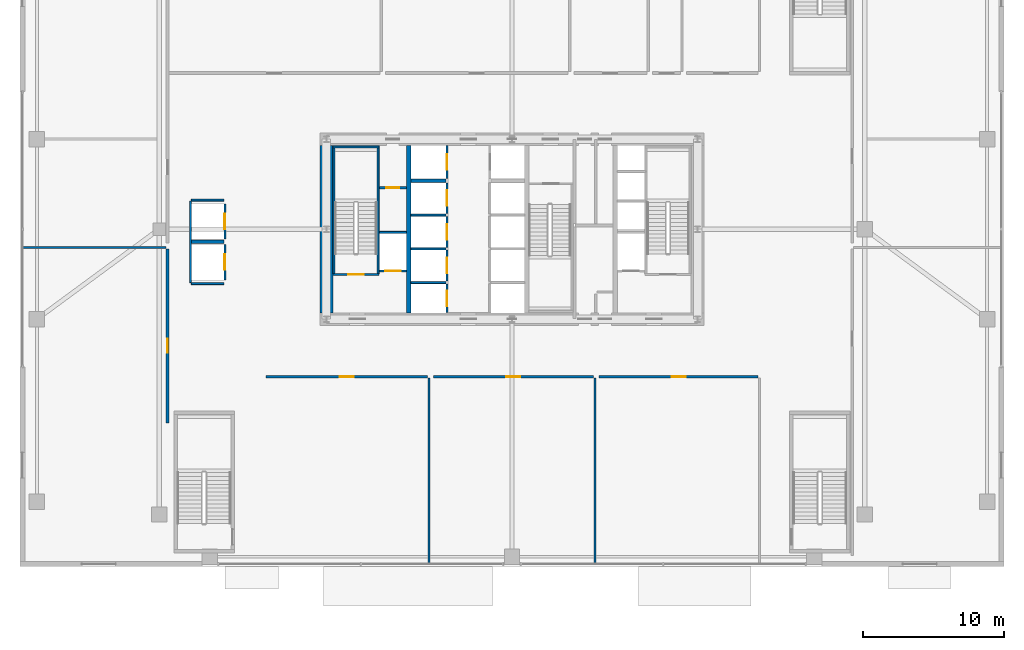
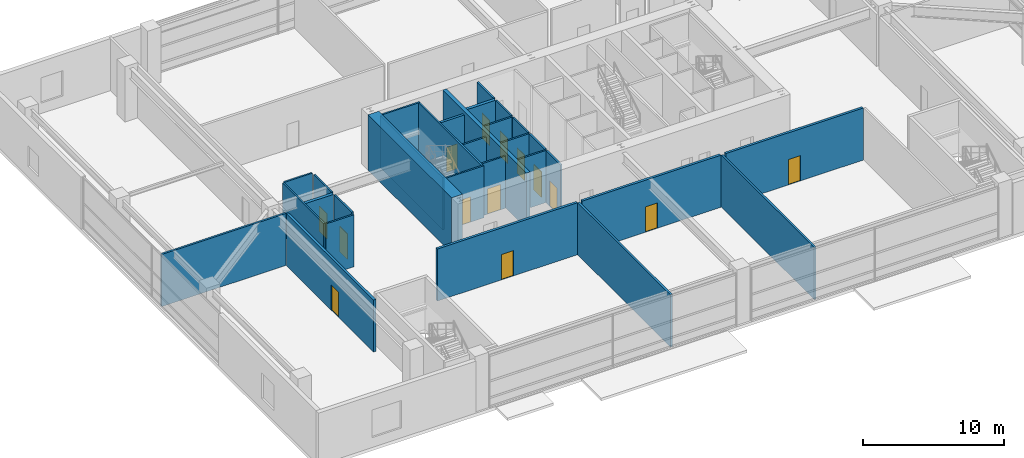
# One storey, part 31 of 37: 31 walls, 14 doors, 14 openings.
"""IFC4 building model written with IfcOpenShell, lengths in metres."""

from ifc_helpers import new_model, si_unit, direction, frame, frame_2d, origin, place, context, subcontext, project, spatial, rectangle, extrude, source, transform, mapped, material, layer, layer_set, type_object, element, fill, save


model = new_model("IFC4")

# Units and contexts
model_context = context("Model", 3, precision=1e-05, world=origin(), true_north=direction((0.0, 1.0)))
body_context = subcontext(model_context, "Body", "Model", "MODEL_VIEW")
ifc_project = project(units=[si_unit("LENGTHUNIT", "METRE"), si_unit("AREAUNIT", "SQUARE_METRE"), si_unit("VOLUMEUNIT", "CUBIC_METRE"), si_unit("PLANEANGLEUNIT", "RADIAN"), si_unit("MASSUNIT", "GRAM", prefix="KILO"), si_unit("THERMODYNAMICTEMPERATUREUNIT", "KELVIN"), si_unit("POWERUNIT", "WATT")], contexts=[model_context])

# Site, building, storey
site_placement = place(None, origin())
site = spatial("IfcSite", under=ifc_project, at=site_placement, CompositionType="ELEMENT")
building_placement = place(site_placement, origin())
building = spatial("IfcBuilding", under=site, at=building_placement, Name="Yuzanri Waterfront Tower", CompositionType="ELEMENT")
storey_placement = place(building_placement, frame((0.0, 0.0, 5.39990234375)))
storey = spatial("IfcBuildingStorey", under=building, at=storey_placement, Name="L02", CompositionType="ELEMENT", Elevation=5.39990234375)

# Wall, opening, door
ifc_material_1 = material(Name="Concrete C40", Category="concrete")
ifc_layer_1 = layer(ifc_material_1, 0.139892578125)
ifc_layer_set_1 = layer_set([ifc_layer_1], Name="Concrete C40")
wall_type_1 = type_object("IfcWallType", Name="Core Stair Liner and Hoistway Shaft Wall 140", PredefinedType="SOLIDWALL", material=ifc_layer_set_1)
wall_1_placement = place(storey_placement, frame((27.56005859375, 22.830078125, 0.0), z_axis=(0.0, 0.0, 1.0), x_axis=(1.0, 0.0, 0.0)))
wall_1 = element("IfcWall", 1, at=wall_1_placement, inside=storey, type_object=wall_type_1, Name="L02 Lift FL-01 Front Shaft Wall", PredefinedType="SOLIDWALL", context=body_context, shape_type="SweptSolid", body=[
    extrude(rectangle(XDim=1.919921875, YDim=0.139892578125, at=frame_2d((0.9599609375, 0.0))), origin(), (0.0, 0.0, 1.0), 4.52001953125),
])
opening_1_placement = place(wall_1_placement, frame((0.409912109375, 0.0, 0.0)))
opening_1 = element("IfcOpeningElement", 2, at=opening_1_placement, cuts=wall_1, Name="Opening LD-FL-01", PredefinedType="OPENING", context=body_context, shape_type="SweptSolid", body=[
    extrude(rectangle(XDim=1.10009765625, YDim=2.199951171875, at=frame_2d((0.550048828125, 1.10009765625))), frame((0.0, 0.0849609375, 0.0), z_axis=(0.0, -1.0, 0.0), x_axis=(1.0, 0.0, 0.0)), (0.0, 0.0, 1.0), 0.169677734375),
])
ifc_material_2 = material(Name="Brushed Bronze and Stainless Steel Cab", Category="steel")
door_type_1 = type_object("IfcDoorType", Name="Center-Parting Bronze Lift Landing Sliding Door 1100x2200", OperationType="NOTDEFINED", PredefinedType="DOOR", material=ifc_material_2)
shared_shape_1 = source(origin(), body_context, "Body", "SweptSolid", [
    extrude(rectangle(XDim=1.10009765625, YDim=2.199951171875, at=frame_2d((0.550048828125, 1.10009765625))), frame((0.0, 0.02490234375, 0.0), z_axis=(0.0, -1.0, 0.0), x_axis=(1.0, 0.0, 0.0)), (0.0, 0.0, 1.0), 0.050048828125),
])
door_1_placement = place(opening_1_placement, origin())
door_1 = element("IfcDoor", 3, at=door_1_placement, inside=storey, type_object=door_type_1, Name="L02 FL-01 Lift Landing Sliding Door", OperationType="SLIDING_TO_LEFT", OverallHeight=2.199951171875, OverallWidth=1.10009765625, PredefinedType="DOOR", context=body_context, shape_type="MappedRepresentation", body=[
    mapped(shared_shape_1, transform((0.0, 0.0, 0.0), scale=1.0)),
])
fill(opening_1, door_1)

wall_2_placement = place(storey_placement, frame((32.3701171875, 19.860107421875, 0.0), z_axis=(0.0, 0.0, 1.0), x_axis=(0.0, 1.0, 0.0)))
wall_2 = element("IfcWall", 4, at=wall_2_placement, inside=storey, type_object=wall_type_1, Name="L02 Lift PL-01 Front Shaft Wall", PredefinedType="SOLIDWALL", context=body_context, shape_type="SweptSolid", body=[
    extrude(rectangle(XDim=2.039794921875, YDim=0.139892578125, at=frame_2d((1.02001953125, 0.0))), origin(), (0.0, 0.0, 1.0), 4.52001953125),
])
opening_2_placement = place(wall_2_placement, frame((0.469970703125, 0.0, 0.0)))
opening_2 = element("IfcOpeningElement", 5, at=opening_2_placement, cuts=wall_2, Name="Opening LD-PL-01", PredefinedType="OPENING", context=body_context, shape_type="SweptSolid", body=[
    extrude(rectangle(XDim=1.10009765625, YDim=2.199951171875, at=frame_2d((0.550048828125, 1.10009765625))), frame((0.0, 0.0849609375, 0.0), z_axis=(0.0, -1.0, 0.0), x_axis=(1.0, 0.0, 0.0)), (0.0, 0.0, 1.0), 0.169677734375),
])
door_2_placement = place(opening_2_placement, origin())
door_2 = element("IfcDoor", 6, at=door_2_placement, inside=storey, type_object=door_type_1, Name="L02 PL-01 Lift Landing Sliding Door", OperationType="SLIDING_TO_LEFT", OverallHeight=2.199951171875, OverallWidth=1.10009765625, PredefinedType="DOOR", context=body_context, shape_type="MappedRepresentation", body=[
    mapped(shared_shape_1, transform((0.0, 0.0, 0.0), scale=1.0)),
])
fill(opening_2, door_2)

wall_3_placement = place(storey_placement, frame((32.3701171875, 22.10009765625, 0.0), z_axis=(0.0, 0.0, 1.0), x_axis=(0.0, 1.0, 0.0)))
wall_3 = element("IfcWall", 7, at=wall_3_placement, inside=storey, type_object=wall_type_1, Name="L02 Lift PL-02 Front Shaft Wall", PredefinedType="SOLIDWALL", context=body_context, shape_type="SweptSolid", body=[
    extrude(rectangle(XDim=2.199951171875, YDim=0.139892578125, at=frame_2d((1.10009765625, 0.0))), origin(), (0.0, 0.0, 1.0), 4.52001953125),
])
opening_3_placement = place(wall_3_placement, frame((0.550048828125, 0.0, 0.0)))
opening_3 = element("IfcOpeningElement", 8, at=opening_3_placement, cuts=wall_3, Name="Opening LD-PL-02", PredefinedType="OPENING", context=body_context, shape_type="SweptSolid", body=[
    extrude(rectangle(XDim=1.10009765625, YDim=2.199951171875, at=frame_2d((0.550048828125, 1.10009765625))), frame((0.0, 0.0849609375, 0.0), z_axis=(0.0, -1.0, 0.0), x_axis=(1.0, 0.0, 0.0)), (0.0, 0.0, 1.0), 0.169677734375),
])
door_3_placement = place(opening_3_placement, origin())
door_3 = element("IfcDoor", 9, at=door_3_placement, inside=storey, type_object=door_type_1, Name="L02 PL-02 Lift Landing Sliding Door", OperationType="SLIDING_TO_RIGHT", OverallHeight=2.199951171875, OverallWidth=1.10009765625, PredefinedType="DOOR", context=body_context, shape_type="MappedRepresentation", body=[
    mapped(shared_shape_1, transform((0.0, 0.0, 0.0), scale=1.0)),
])
fill(opening_3, door_3)

wall_4_placement = place(storey_placement, frame((32.3701171875, 24.5, 0.0), z_axis=(0.0, 0.0, 1.0), x_axis=(0.0, 1.0, 0.0)))
wall_4 = element("IfcWall", 10, at=wall_4_placement, inside=storey, type_object=wall_type_1, Name="L02 Lift PL-03 Front Shaft Wall", PredefinedType="SOLIDWALL", context=body_context, shape_type="SweptSolid", body=[
    extrude(rectangle(XDim=2.199951171875, YDim=0.139892578125, at=frame_2d((1.10009765625, 0.0))), origin(), (0.0, 0.0, 1.0), 4.52001953125),
])
opening_4_placement = place(wall_4_placement, frame((0.550048828125, 0.0, 0.0)))
opening_4 = element("IfcOpeningElement", 11, at=opening_4_placement, cuts=wall_4, Name="Opening LD-PL-03", PredefinedType="OPENING", context=body_context, shape_type="SweptSolid", body=[
    extrude(rectangle(XDim=1.10009765625, YDim=2.199951171875, at=frame_2d((0.550048828125, 1.10009765625))), frame((0.0, 0.0849609375, 0.0), z_axis=(0.0, -1.0, 0.0), x_axis=(1.0, 0.0, 0.0)), (0.0, 0.0, 1.0), 0.169677734375),
])
door_4_placement = place(opening_4_placement, origin())
door_4 = element("IfcDoor", 12, at=door_4_placement, inside=storey, type_object=door_type_1, Name="L02 PL-03 Lift Landing Sliding Door", OperationType="SLIDING_TO_LEFT", OverallHeight=2.199951171875, OverallWidth=1.10009765625, PredefinedType="DOOR", context=body_context, shape_type="MappedRepresentation", body=[
    mapped(shared_shape_1, transform((0.0, 0.0, 0.0), scale=1.0)),
])
fill(opening_4, door_4)

wall_5_placement = place(storey_placement, frame((32.3701171875, 26.89990234375, 0.0), z_axis=(0.0, 0.0, 1.0), x_axis=(0.0, 1.0, 0.0)))
wall_5 = element("IfcWall", 13, at=wall_5_placement, inside=storey, type_object=wall_type_1, Name="L02 Lift PL-04 Front Shaft Wall", PredefinedType="SOLIDWALL", context=body_context, shape_type="SweptSolid", body=[
    extrude(rectangle(XDim=2.2001953125, YDim=0.139892578125, at=frame_2d((1.10009765625, 0.0))), origin(), (0.0, 0.0, 1.0), 4.52001953125),
])
opening_5_placement = place(wall_5_placement, frame((0.550048828125, 0.0, 0.0)))
opening_5 = element("IfcOpeningElement", 14, at=opening_5_placement, cuts=wall_5, Name="Opening LD-PL-04", PredefinedType="OPENING", context=body_context, shape_type="SweptSolid", body=[
    extrude(rectangle(XDim=1.10009765625, YDim=2.199951171875, at=frame_2d((0.550048828125, 1.10009765625))), frame((0.0, 0.0849609375, 0.0), z_axis=(0.0, -1.0, 0.0), x_axis=(1.0, 0.0, 0.0)), (0.0, 0.0, 1.0), 0.169677734375),
])
door_5_placement = place(opening_5_placement, origin())
door_5 = element("IfcDoor", 15, at=door_5_placement, inside=storey, type_object=door_type_1, Name="L02 PL-04 Lift Landing Sliding Door", OperationType="SLIDING_TO_RIGHT", OverallHeight=2.199951171875, OverallWidth=1.10009765625, PredefinedType="DOOR", context=body_context, shape_type="MappedRepresentation", body=[
    mapped(shared_shape_1, transform((0.0, 0.0, 0.0), scale=1.0)),
])
fill(opening_5, door_5)

wall_6_placement = place(storey_placement, frame((32.3701171875, 29.39990234375, 0.0), z_axis=(0.0, 0.0, 1.0), x_axis=(0.0, 1.0, 0.0)))
wall_6 = element("IfcWall", 16, at=wall_6_placement, inside=storey, type_object=wall_type_1, Name="L02 Lift SL-01 Front Shaft Wall", PredefinedType="SOLIDWALL", context=body_context, shape_type="SweptSolid", body=[
    extrude(rectangle(XDim=2.340087890625, YDim=0.139892578125, at=frame_2d((1.169921875, 0.0))), origin(), (0.0, 0.0, 1.0), 4.52001953125),
])
opening_6_placement = place(wall_6_placement, frame((0.6201171875, 0.0, 0.0)))
opening_6 = element("IfcOpeningElement", 17, at=opening_6_placement, cuts=wall_6, Name="Opening LD-SL-01", PredefinedType="OPENING", context=body_context, shape_type="SweptSolid", body=[
    extrude(rectangle(XDim=1.10009765625, YDim=2.199951171875, at=frame_2d((0.550048828125, 1.10009765625))), frame((0.0, 0.0849609375, 0.0), z_axis=(0.0, -1.0, 0.0), x_axis=(1.0, 0.0, 0.0)), (0.0, 0.0, 1.0), 0.169677734375),
])
door_6_placement = place(opening_6_placement, origin())
door_6 = element("IfcDoor", 18, at=door_6_placement, inside=storey, type_object=door_type_1, Name="L02 SL-01 Lift Landing Sliding Door", OperationType="SLIDING_TO_LEFT", OverallHeight=2.199951171875, OverallWidth=1.10009765625, PredefinedType="DOOR", context=body_context, shape_type="MappedRepresentation", body=[
    mapped(shared_shape_1, transform((0.0, 0.0, 0.0), scale=1.0)),
])
fill(opening_6, door_6)

wall_7_placement = place(storey_placement, frame((16.570068359375, 22.199951171875, 0.0), z_axis=(0.0, 0.0, 1.0), x_axis=(0.0, 1.0, 0.0)))
wall_7 = element("IfcWall", 19, at=wall_7_placement, inside=storey, type_object=wall_type_1, Name="L02 Lift RL-01 Front Shaft Wall", PredefinedType="SOLIDWALL", context=body_context, shape_type="SweptSolid", body=[
    extrude(rectangle(XDim=2.5, YDim=0.139892578125, at=frame_2d((1.25, 0.0))), origin(), (0.0, 0.0, 1.0), 4.52001953125),
])
opening_7_placement = place(wall_7_placement, frame((0.699951171875, 0.0, 0.0)))
opening_7 = element("IfcOpeningElement", 20, at=opening_7_placement, cuts=wall_7, Name="Opening LD-RL-01", PredefinedType="OPENING", context=body_context, shape_type="SweptSolid", body=[
    extrude(rectangle(XDim=1.10009765625, YDim=2.199951171875, at=frame_2d((0.550048828125, 1.10009765625))), frame((0.0, 0.0849609375, 0.0), z_axis=(0.0, -1.0, 0.0), x_axis=(1.0, 0.0, 0.0)), (0.0, 0.0, 1.0), 0.169677734375),
])
door_7_placement = place(opening_7_placement, origin())
door_7 = element("IfcDoor", 21, at=door_7_placement, inside=storey, type_object=door_type_1, Name="L02 RL-01 Lift Landing Sliding Door", OperationType="SLIDING_TO_RIGHT", OverallHeight=2.199951171875, OverallWidth=1.10009765625, PredefinedType="DOOR", context=body_context, shape_type="MappedRepresentation", body=[
    mapped(shared_shape_1, transform((0.0, 0.0, 0.0), scale=1.0)),
])
fill(opening_7, door_7)

wall_8_placement = place(storey_placement, frame((16.570068359375, 25.10009765625, 0.0), z_axis=(0.0, 0.0, 1.0), x_axis=(0.0, 1.0, 0.0)))
wall_8 = element("IfcWall", 22, at=wall_8_placement, inside=storey, type_object=wall_type_1, Name="L02 Lift RL-02 Front Shaft Wall", PredefinedType="SOLIDWALL", context=body_context, shape_type="SweptSolid", body=[
    extrude(rectangle(XDim=2.5, YDim=0.139892578125, at=frame_2d((1.25, 0.0))), origin(), (0.0, 0.0, 1.0), 4.52001953125),
])
opening_8_placement = place(wall_8_placement, frame((0.699951171875, 0.0, 0.0)))
opening_8 = element("IfcOpeningElement", 23, at=opening_8_placement, cuts=wall_8, Name="Opening LD-RL-02", PredefinedType="OPENING", context=body_context, shape_type="SweptSolid", body=[
    extrude(rectangle(XDim=1.10009765625, YDim=2.199951171875, at=frame_2d((0.550048828125, 1.10009765625))), frame((0.0, 0.0849609375, 0.0), z_axis=(0.0, -1.0, 0.0), x_axis=(1.0, 0.0, 0.0)), (0.0, 0.0, 1.0), 0.169677734375),
])
door_8_placement = place(opening_8_placement, origin())
door_8 = element("IfcDoor", 24, at=door_8_placement, inside=storey, type_object=door_type_1, Name="L02 RL-02 Lift Landing Sliding Door", OperationType="SLIDING_TO_LEFT", OverallHeight=2.199951171875, OverallWidth=1.10009765625, PredefinedType="DOOR", context=body_context, shape_type="MappedRepresentation", body=[
    mapped(shared_shape_1, transform((0.0, 0.0, 0.0), scale=1.0)),
])
fill(opening_8, door_8)

wall_9_placement = place(storey_placement, frame((24.260009765625, 22.570068359375, 0.0), z_axis=(0.0, 0.0, 1.0), x_axis=(1.0, 0.0, 0.0)))
wall_9 = element("IfcWall", 25, at=wall_9_placement, inside=storey, type_object=wall_type_1, Name="L02 Shaft Wall STW-L02-ST-01-S", PredefinedType="SOLIDWALL", context=body_context, shape_type="SweptSolid", body=[
    extrude(rectangle(XDim=3.280029296875, YDim=0.139892578125, at=frame_2d((1.64013671875, 0.0))), origin(), (0.0, 0.0, 1.0), 4.52001953125),
])
opening_9_placement = place(wall_9_placement, frame((1.090087890625, 0.0, 0.0)))
opening_9 = element("IfcOpeningElement", 26, at=opening_9_placement, cuts=wall_9, Name="Opening FD-1100", PredefinedType="OPENING", context=body_context, shape_type="SweptSolid", body=[
    extrude(rectangle(XDim=1.10009765625, YDim=2.199951171875, at=frame_2d((0.550048828125, 1.10009765625))), frame((0.0, 0.0849609375, 0.0), z_axis=(0.0, -1.0, 0.0), x_axis=(1.0, 0.0, 0.0)), (0.0, 0.0, 1.0), 0.169677734375),
])
ifc_material_3 = material(Name="Painted Galvanized Fire Steel", Category="steel")
door_type_2 = type_object("IfcDoorType", Name="Smoke-Proof Stair and Lobby Fire Door 1100x2200", OperationType="NOTDEFINED", PredefinedType="DOOR", material=ifc_material_3)
shared_shape_2 = source(origin(), body_context, "Body", "SweptSolid", [
    extrude(rectangle(XDim=1.10009765625, YDim=2.199951171875, at=frame_2d((0.550048828125, 1.10009765625))), frame((0.0, 0.02490234375, 0.0), z_axis=(0.0, -1.0, 0.0), x_axis=(1.0, 0.0, 0.0)), (0.0, 0.0, 1.0), 0.050048828125),
])
door_9_placement = place(opening_9_placement, origin())
door_9 = element("IfcDoor", 27, at=door_9_placement, inside=storey, type_object=door_type_2, Name="L02 Stair ST-01 Fire Door", OperationType="SINGLE_SWING_LEFT", OverallHeight=2.199951171875, OverallWidth=1.10009765625, PredefinedType="DOOR", context=body_context, shape_type="MappedRepresentation", body=[
    mapped(shared_shape_2, transform((0.0, 0.0, 0.0), scale=1.0)),
])
fill(opening_9, door_9)

ifc_material_4 = material(Name="Autoclaved Aerated Concrete Blockwork", Category="masonry")
ifc_layer_2 = layer(ifc_material_4, 0.199951171875)
ifc_layer_set_2 = layer_set([ifc_layer_2], Name="Autoclaved Aerated Concrete Blockwork")
wall_type_2 = type_object("IfcWallType", Name="Corridor and Unit Party Fire Wall 200", PredefinedType="PARTITIONING", material=ifc_layer_set_2)
wall_10_placement = place(storey_placement, frame((27.56005859375, 28.75, 0.0), z_axis=(0.0, 0.0, 1.0), x_axis=(1.0, 0.0, 0.0)))
wall_10 = element("IfcWall", 28, at=wall_10_placement, inside=storey, type_object=wall_type_2, Name="L02 Partition CRW-L02-ERTR", PredefinedType="PARTITIONING", context=body_context, shape_type="SweptSolid", body=[
    extrude(rectangle(XDim=1.919921875, YDim=0.199951171875, at=frame_2d((0.9599609375, 0.0))), origin(), (0.0, 0.0, 1.0), 4.52001953125),
])
opening_10_placement = place(wall_10_placement, frame((0.510009765625, 0.0, 0.0)))
opening_10 = element("IfcOpeningElement", 29, at=opening_10_placement, cuts=wall_10, Name="Opening FD-0900", PredefinedType="OPENING", context=body_context, shape_type="SweptSolid", body=[
    extrude(rectangle(XDim=0.89990234375, YDim=2.14990234375, at=frame_2d((0.449951171875, 1.074951171875))), frame((0.0, 0.11474609375, 0.0), z_axis=(0.0, -1.0, 0.0), x_axis=(1.0, 0.0, 0.0)), (0.0, 0.0, 1.0), 0.229736328125),
])
ifc_material_5 = material(Name="Painted Galvanized Fire Steel", Category="steel")
door_type_3 = type_object("IfcDoorType", Name="Riser and Service Room Fire Door 900x2150", OperationType="NOTDEFINED", PredefinedType="DOOR", material=ifc_material_5)
shared_shape_3 = source(origin(), body_context, "Body", "SweptSolid", [
    extrude(rectangle(XDim=0.89990234375, YDim=2.14990234375, at=frame_2d((0.449951171875, 1.074951171875))), frame((0.0, 0.02490234375, 0.0), z_axis=(0.0, -1.0, 0.0), x_axis=(1.0, 0.0, 0.0)), (0.0, 0.0, 1.0), 0.050048828125),
])
door_10_placement = place(opening_10_placement, origin())
door_10 = element("IfcDoor", 30, at=door_10_placement, inside=storey, type_object=door_type_3, Name="L02 Electrical Riser Door", OperationType="SINGLE_SWING_LEFT", OverallHeight=2.14990234375, OverallWidth=0.89990234375, PredefinedType="DOOR", context=body_context, shape_type="MappedRepresentation", body=[
    mapped(shared_shape_3, transform((0.0, 0.0, 0.0), scale=1.0)),
])
fill(opening_10, door_10)

wall_11_placement = place(storey_placement, frame((12.5, 12.0, 0.0), z_axis=(0.0, 0.0, 1.0), x_axis=(0.0, 1.0, 0.0)))
wall_11 = element("IfcWall", 31, at=wall_11_placement, inside=storey, type_object=wall_type_2, Name="L02 Partition PRW-L02-027-E", PredefinedType="PARTITIONING", context=body_context, shape_type="SweptSolid", body=[
    extrude(rectangle(XDim=12.39990234375, YDim=0.199951171875, at=frame_2d((6.199951171875, 0.0))), origin(), (0.0, 0.0, 1.0), 4.52001953125),
])
opening_11_placement = place(wall_11_placement, frame((5.0, 0.0, 0.0)))
opening_11 = element("IfcOpeningElement", 32, at=opening_11_placement, cuts=wall_11, Name="Opening FD-1000", PredefinedType="OPENING", context=body_context, shape_type="SweptSolid", body=[
    extrude(rectangle(XDim=1.0, YDim=2.199951171875, at=frame_2d((0.5, 1.10009765625))), frame((0.0, 0.11474609375, 0.0), z_axis=(0.0, -1.0, 0.0), x_axis=(1.0, 0.0, 0.0)), (0.0, 0.0, 1.0), 0.229736328125),
])
ifc_material_6 = material(Name="Engineered Oak Fire-Rated Timber", Category="wood")
door_type_4 = type_object("IfcDoorType", Name="Guestroom and Apartment Entrance Fire Door 1000x2200", OperationType="NOTDEFINED", PredefinedType="DOOR", material=ifc_material_6)
shared_shape_4 = source(origin(), body_context, "Body", "SweptSolid", [
    extrude(rectangle(XDim=1.0, YDim=2.199951171875, at=frame_2d((0.5, 1.10009765625))), frame((0.0, 0.02490234375, 0.0), z_axis=(0.0, -1.0, 0.0), x_axis=(1.0, 0.0, 0.0)), (0.0, 0.0, 1.0), 0.050048828125),
])
door_11_placement = place(opening_11_placement, origin())
door_11 = element("IfcDoor", 33, at=door_11_placement, inside=storey, type_object=door_type_4, Name="L02 West Waterfront Anchor Store", OperationType="SINGLE_SWING_RIGHT", OverallHeight=2.199951171875, OverallWidth=1.0, PredefinedType="DOOR", context=body_context, shape_type="MappedRepresentation", body=[
    mapped(shared_shape_4, transform((0.0, 0.0, 0.0), scale=1.0)),
])
fill(opening_11, door_11)

wall_12_placement = place(storey_placement, frame((19.5, 15.300048828125, 0.0), z_axis=(0.0, 0.0, 1.0), x_axis=(1.0, 0.0, 0.0)))
wall_12 = element("IfcWall", 34, at=wall_12_placement, inside=storey, type_object=wall_type_2, Name="L02 Partition PRW-L02-029-N", PredefinedType="PARTITIONING", context=body_context, shape_type="SweptSolid", body=[
    extrude(rectangle(XDim=11.5, YDim=0.199951171875, at=frame_2d((5.75, 0.0))), origin(), (0.0, 0.0, 1.0), 4.52001953125),
])
opening_12_placement = place(wall_12_placement, frame((5.25, 0.0, 0.0)))
opening_12 = element("IfcOpeningElement", 35, at=opening_12_placement, cuts=wall_12, Name="Opening FD-1000", PredefinedType="OPENING", context=body_context, shape_type="SweptSolid", body=[
    extrude(rectangle(XDim=1.0, YDim=2.199951171875, at=frame_2d((0.5, 1.10009765625))), frame((0.0, 0.11474609375, 0.0), z_axis=(0.0, -1.0, 0.0), x_axis=(1.0, 0.0, 0.0)), (0.0, 0.0, 1.0), 0.229736328125),
])
door_12_placement = place(opening_12_placement, origin())
door_12 = element("IfcDoor", 36, at=door_12_placement, inside=storey, type_object=door_type_4, Name="L02 Luxury Fashion Boutique", OperationType="SINGLE_SWING_RIGHT", OverallHeight=2.199951171875, OverallWidth=1.0, PredefinedType="DOOR", context=body_context, shape_type="MappedRepresentation", body=[
    mapped(shared_shape_4, transform((0.0, 0.0, 0.0), scale=1.0)),
])
fill(opening_12, door_12)

wall_13_placement = place(storey_placement, frame((31.39990234375, 15.300048828125, 0.0), z_axis=(0.0, 0.0, 1.0), x_axis=(1.0, 0.0, 0.0)))
wall_13 = element("IfcWall", 37, at=wall_13_placement, inside=storey, type_object=wall_type_2, Name="L02 Partition PRW-L02-030-N", PredefinedType="PARTITIONING", context=body_context, shape_type="SweptSolid", body=[
    extrude(rectangle(XDim=11.400146484375, YDim=0.199951171875, at=frame_2d((5.7001953125, 0.0))), origin(), (0.0, 0.0, 1.0), 4.52001953125),
])
opening_13_placement = place(wall_13_placement, frame((5.199951171875, 0.0, 0.0)))
opening_13 = element("IfcOpeningElement", 38, at=opening_13_placement, cuts=wall_13, Name="Opening FD-1000", PredefinedType="OPENING", context=body_context, shape_type="SweptSolid", body=[
    extrude(rectangle(XDim=1.0, YDim=2.199951171875, at=frame_2d((0.5, 1.10009765625))), frame((0.0, 0.11474609375, 0.0), z_axis=(0.0, -1.0, 0.0), x_axis=(1.0, 0.0, 0.0)), (0.0, 0.0, 1.0), 0.229736328125),
])
door_13_placement = place(opening_13_placement, origin())
door_13 = element("IfcDoor", 39, at=door_13_placement, inside=storey, type_object=door_type_4, Name="L02 Jewelry and Horology Salon", OperationType="SINGLE_SWING_LEFT", OverallHeight=2.199951171875, OverallWidth=1.0, PredefinedType="DOOR", context=body_context, shape_type="MappedRepresentation", body=[
    mapped(shared_shape_4, transform((0.0, 0.0, 0.0), scale=1.0)),
])
fill(opening_13, door_13)

wall_14_placement = place(storey_placement, frame((43.199951171875, 15.300048828125, 0.0), z_axis=(0.0, 0.0, 1.0), x_axis=(1.0, 0.0, 0.0)))
wall_14 = element("IfcWall", 40, at=wall_14_placement, inside=storey, type_object=wall_type_2, Name="L02 Partition PRW-L02-031-N", PredefinedType="PARTITIONING", context=body_context, shape_type="SweptSolid", body=[
    extrude(rectangle(XDim=11.300048828125, YDim=0.199951171875, at=frame_2d((5.64990234375, 0.0))), origin(), (0.0, 0.0, 1.0), 4.52001953125),
])
opening_14_placement = place(wall_14_placement, frame((5.14990234375, 0.0, 0.0)))
opening_14 = element("IfcOpeningElement", 41, at=opening_14_placement, cuts=wall_14, Name="Opening FD-1000", PredefinedType="OPENING", context=body_context, shape_type="SweptSolid", body=[
    extrude(rectangle(XDim=1.0, YDim=2.199951171875, at=frame_2d((0.5, 1.10009765625))), frame((0.0, 0.11474609375, 0.0), z_axis=(0.0, -1.0, 0.0), x_axis=(1.0, 0.0, 0.0)), (0.0, 0.0, 1.0), 0.229736328125),
])
door_14_placement = place(opening_14_placement, origin())
door_14 = element("IfcDoor", 42, at=door_14_placement, inside=storey, type_object=door_type_4, Name="L02 Perfumery and Cosmetics Shop", OperationType="SINGLE_SWING_RIGHT", OverallHeight=2.199951171875, OverallWidth=1.0, PredefinedType="DOOR", context=body_context, shape_type="MappedRepresentation", body=[
    mapped(shared_shape_4, transform((0.0, 0.0, 0.0), scale=1.0)),
])
fill(opening_14, door_14)

# Walls
ifc_material_7 = material(Name="Concrete C60", Category="concrete")
ifc_layer_3 = layer(ifc_material_7, 0.89990234375)
ifc_layer_set_3 = layer_set([ifc_layer_3], Name="Concrete C60")
wall_type_3 = type_object("IfcWallType", Name="Concrete C60 Lower Zone Core Shear Wall 900", PredefinedType="SHEAR", material=ifc_layer_set_3)
shared_shape_5 = source(origin(), body_context, "Body", "SweptSolid", [
    extrude(rectangle(XDim=11.89990234375, YDim=0.89990234375, at=frame_2d((5.949951171875, 0.0))), origin(), (0.0, 0.0, 1.0), 4.800048828125),
])
wall_15_placement = place(storey_placement, frame((23.800048828125, 19.85009765625, 0.0), z_axis=(0.0, 0.0, 1.0), x_axis=(0.0, 1.0, 0.0)))
element("IfcWall", 43, at=wall_15_placement, inside=storey, type_object=wall_type_3, Name="L02 Core West Shear Wall", PredefinedType="SHEAR", context=body_context, shape_type="MappedRepresentation", body=[
    mapped(shared_shape_5, transform((0.0, 0.0, 0.0), scale=1.0)),
])
ifc_material_8 = material(Name="Concrete C50", Category="concrete")
ifc_layer_4 = layer(ifc_material_8, 0.300048828125)
ifc_layer_set_4 = layer_set([ifc_layer_4], Name="Concrete C50")
wall_type_4 = type_object("IfcWallType", Name="Concrete C50 Internal Core Shaft Structural Wall 300", PredefinedType="SOLIDWALL", material=ifc_layer_set_4)
shared_shape_6 = source(origin(), body_context, "Body", "SweptSolid", [
    extrude(rectangle(XDim=11.89990234375, YDim=0.300048828125, at=frame_2d((5.949951171875, 0.0))), origin(), (0.0, 0.0, 1.0), 4.800048828125),
])
wall_16_placement = place(storey_placement, frame((29.64990234375, 19.85009765625, 0.0), z_axis=(0.0, 0.0, 1.0), x_axis=(0.0, 1.0, 0.0)))
element("IfcWall", 44, at=wall_16_placement, inside=storey, type_object=wall_type_4, Name="L02 Core Internal Structural Web Wall 1", PredefinedType="SOLIDWALL", context=body_context, shape_type="MappedRepresentation", body=[
    mapped(shared_shape_6, transform((0.0, 0.0, 0.0), scale=1.0)),
])
shared_shape_7 = source(origin(), body_context, "Body", "SweptSolid", [
    extrude(rectangle(XDim=1.919921875, YDim=0.139892578125, at=frame_2d((0.9599609375, 0.0))), origin(), (0.0, 0.0, 1.0), 4.52001953125),
])
wall_17_placement = place(storey_placement, frame((27.56005859375, 25.570068359375, 0.0), z_axis=(0.0, 0.0, 1.0), x_axis=(1.0, 0.0, 0.0)))
element("IfcWall", 45, at=wall_17_placement, inside=storey, type_object=wall_type_1, Name="L02 Lift FL-01 Back Shaft Wall", PredefinedType="SOLIDWALL", context=body_context, shape_type="MappedRepresentation", body=[
    mapped(shared_shape_7, transform((0.0, 0.0, 0.0), scale=1.0)),
])
shared_shape_8 = source(origin(), body_context, "Body", "SweptSolid", [
    extrude(rectangle(XDim=2.5, YDim=0.139892578125, at=frame_2d((1.25, 0.0))), origin(), (0.0, 0.0, 1.0), 4.52001953125),
])
for number, where, z_axis, x_axis, name in (
    (46, (29.800048828125, 22.0, 0.0), (0.0, 0.0, 1.0), (1.0, 0.0, 0.0), "L02 Lift PL-01 Divider Wall"),
    (47, (29.800048828125, 24.39990234375, 0.0), (0.0, 0.0, 1.0), (1.0, 0.0, 0.0), "L02 Lift PL-02 Divider Wall"),
    (48, (29.800048828125, 26.800048828125, 0.0), (0.0, 0.0, 1.0), (1.0, 0.0, 0.0), "L02 Lift PL-03 Divider Wall"),
):
    element("IfcWall", number, at=place(storey_placement, frame(where, z_axis=z_axis, x_axis=x_axis)), inside=storey, type_object=wall_type_1, Name=name, PredefinedType="SOLIDWALL", context=body_context, shape_type="MappedRepresentation", body=[
        mapped(shared_shape_8, transform((0.0, 0.0, 0.0), scale=1.0)),
    ])
ifc_material_9 = material(Name="Concrete C40", Category="concrete")
ifc_layer_5 = layer(ifc_material_9, 0.25)
ifc_layer_set_5 = layer_set([ifc_layer_5], Name="Concrete C40")
wall_type_5 = type_object("IfcWallType", Name="Smoke-Proof Stair and Lift Shaft Wall 250", PredefinedType="SOLIDWALL", material=ifc_layer_set_5)
shared_shape_9 = source(origin(), body_context, "Body", "SweptSolid", [
    extrude(rectangle(XDim=2.5, YDim=0.25, at=frame_2d((1.25, 0.0))), origin(), (0.0, 0.0, 1.0), 4.52001953125),
])
wall_18_placement = place(storey_placement, frame((29.800048828125, 29.25, 0.0), z_axis=(0.0, 0.0, 1.0), x_axis=(1.0, 0.0, 0.0)))
element("IfcWall", 49, at=wall_18_placement, inside=storey, type_object=wall_type_5, Name="L02 Lift SL-01 South Shaft Wall", PredefinedType="SOLIDWALL", context=body_context, shape_type="MappedRepresentation", body=[
    mapped(shared_shape_9, transform((0.0, 0.0, 0.0), scale=1.0)),
])
shared_shape_10 = source(origin(), body_context, "Body", "SweptSolid", [
    extrude(rectangle(XDim=2.300048828125, YDim=0.25, at=frame_2d((1.14990234375, 0.0))), origin(), (0.0, 0.0, 1.0), 4.52001953125),
])
wall_19_placement = place(storey_placement, frame((14.199951171875, 24.89990234375, 0.0), z_axis=(0.0, 0.0, 1.0), x_axis=(1.0, 0.0, 0.0)))
element("IfcWall", 50, at=wall_19_placement, inside=storey, type_object=wall_type_5, Name="L02 Lift RL-01 Divider Wall", PredefinedType="SOLIDWALL", context=body_context, shape_type="MappedRepresentation", body=[
    mapped(shared_shape_10, transform((0.0, 0.0, 0.0), scale=1.0)),
])
shared_shape_11 = source(origin(), body_context, "Body", "SweptSolid", [
    extrude(rectangle(XDim=5.800048828125, YDim=0.139892578125, at=frame_2d((2.89990234375, 0.0))), origin(), (0.0, 0.0, 1.0), 4.52001953125),
])
wall_20_placement = place(storey_placement, frame((14.1298828125, 22.0, 0.0), z_axis=(0.0, 0.0, 1.0), x_axis=(0.0, 1.0, 0.0)))
element("IfcWall", 51, at=wall_20_placement, inside=storey, type_object=wall_type_1, Name="L02 Retail Lift West Shaft Wall", PredefinedType="SOLIDWALL", context=body_context, shape_type="MappedRepresentation", body=[
    mapped(shared_shape_11, transform((0.0, 0.0, 0.0), scale=1.0)),
])
shared_shape_12 = source(origin(), body_context, "Body", "SweptSolid", [
    extrude(rectangle(XDim=2.300048828125, YDim=0.139892578125, at=frame_2d((1.14990234375, 0.0))), origin(), (0.0, 0.0, 1.0), 4.52001953125),
])
for number, where, z_axis, x_axis, name in (
    (52, (14.199951171875, 21.929931640625, 0.0), (0.0, 0.0, 1.0), (1.0, 0.0, 0.0), "L02 Retail Lift South Shaft Wall"),
    (53, (14.199951171875, 27.8701171875, 0.0), (0.0, 0.0, 1.0), (1.0, 0.0, 0.0), "L02 Retail Lift North Shaft Wall"),
):
    element("IfcWall", number, at=place(storey_placement, frame(where, z_axis=z_axis, x_axis=x_axis)), inside=storey, type_object=wall_type_1, Name=name, PredefinedType="SOLIDWALL", context=body_context, shape_type="MappedRepresentation", body=[
        mapped(shared_shape_12, transform((0.0, 0.0, 0.0), scale=1.0)),
    ])
shared_shape_13 = source(origin(), body_context, "Body", "SweptSolid", [
    extrude(rectangle(XDim=3.280029296875, YDim=0.139892578125, at=frame_2d((1.64013671875, 0.0))), origin(), (0.0, 0.0, 1.0), 4.52001953125),
])
wall_21_placement = place(storey_placement, frame((24.260009765625, 31.64990234375, 0.0), z_axis=(0.0, 0.0, 1.0), x_axis=(1.0, 0.0, 0.0)))
element("IfcWall", 54, at=wall_21_placement, inside=storey, type_object=wall_type_1, Name="L02 Stair ST-01 North Shaft Wall", PredefinedType="SOLIDWALL", context=body_context, shape_type="MappedRepresentation", body=[
    mapped(shared_shape_13, transform((0.0, 0.0, 0.0), scale=1.0)),
])
shared_shape_14 = source(origin(), body_context, "Body", "SweptSolid", [
    extrude(rectangle(XDim=8.940185546875, YDim=0.139892578125, at=frame_2d((4.47021484375, 0.0))), origin(), (0.0, 0.0, 1.0), 4.52001953125),
])
for number, where, z_axis, x_axis, name in (
    (55, (24.330078125, 22.639892578125, 0.0), (0.0, 0.0, 1.0), (0.0, 1.0, 0.0), "L02 Stair ST-01 West Shaft Wall"),
    (56, (27.469970703125, 22.639892578125, 0.0), (0.0, 0.0, 1.0), (0.0, 1.0, 0.0), "L02 Stair ST-01 East Shaft Wall"),
):
    element("IfcWall", number, at=place(storey_placement, frame(where, z_axis=z_axis, x_axis=x_axis)), inside=storey, type_object=wall_type_1, Name=name, PredefinedType="SOLIDWALL", context=body_context, shape_type="MappedRepresentation", body=[
        mapped(shared_shape_14, transform((0.0, 0.0, 0.0), scale=1.0)),
    ])
ifc_material_10 = material(Name="Gypsum Fireboard Acoustic Stud Wall", Category="gypsum")
ifc_layer_6 = layer(ifc_material_10, 0.159912109375)
ifc_layer_set_6 = layer_set([ifc_layer_6], Name="Gypsum Fireboard Acoustic Stud Wall")
wall_type_6 = type_object("IfcWallType", Name="Acoustic Suite Demising Partition 160", PredefinedType="PARTITIONING", material=ifc_layer_set_6)
shared_shape_15 = source(origin(), body_context, "Body", "SweptSolid", [
    extrude(rectangle(XDim=10.219970703125, YDim=0.159912109375, at=frame_2d((5.10986328125, 0.0))), origin(), (0.0, 0.0, 1.0), 4.52001953125),
])
wall_22_placement = place(storey_placement, frame((2.179931640625, 24.5, 0.0), z_axis=(0.0, 0.0, 1.0), x_axis=(1.0, 0.0, 0.0)))
element("IfcWall", 57, at=wall_22_placement, inside=storey, type_object=wall_type_6, Name="L02-027 North Partition", PredefinedType="PARTITIONING", context=body_context, shape_type="MappedRepresentation", body=[
    mapped(shared_shape_15, transform((0.0, 0.0, 0.0), scale=1.0)),
])
shared_shape_16 = source(origin(), body_context, "Body", "SweptSolid", [
    extrude(rectangle(XDim=13.219970703125, YDim=0.159912109375, at=frame_2d((6.60986328125, 0.0))), origin(), (0.0, 0.0, 1.0), 4.52001953125),
])
for number, where, z_axis, x_axis, name in (
    (58, (31.10009765625, 1.97998046875, 0.0), (0.0, 0.0, 1.0), (0.0, 1.0, 0.0), "L02-029 Demising Wall"),
    (59, (42.89990234375, 1.97998046875, 0.0), (0.0, 0.0, 1.0), (0.0, 1.0, 0.0), "L02-030 Demising Wall"),
):
    element("IfcWall", number, at=place(storey_placement, frame(where, z_axis=z_axis, x_axis=x_axis)), inside=storey, type_object=wall_type_6, Name=name, PredefinedType="PARTITIONING", context=body_context, shape_type="MappedRepresentation", body=[
        mapped(shared_shape_16, transform((0.0, 0.0, 0.0), scale=1.0)),
    ])

save(model, "model.ifc")
